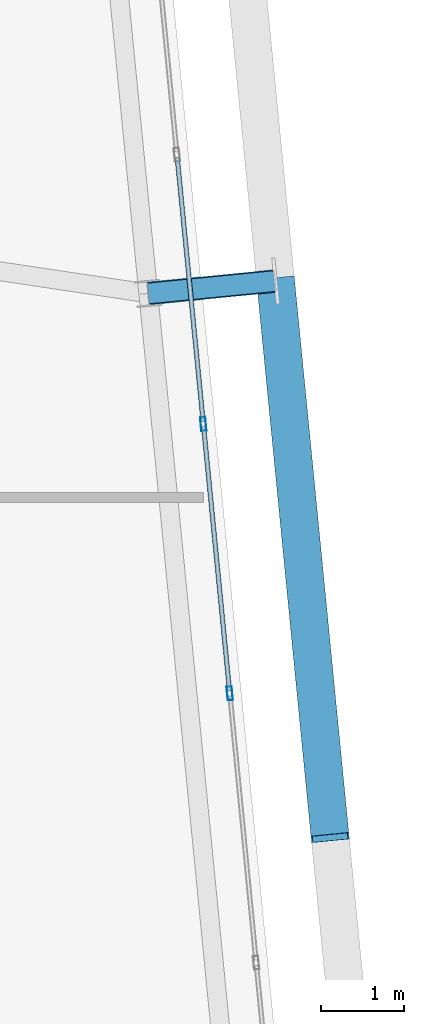
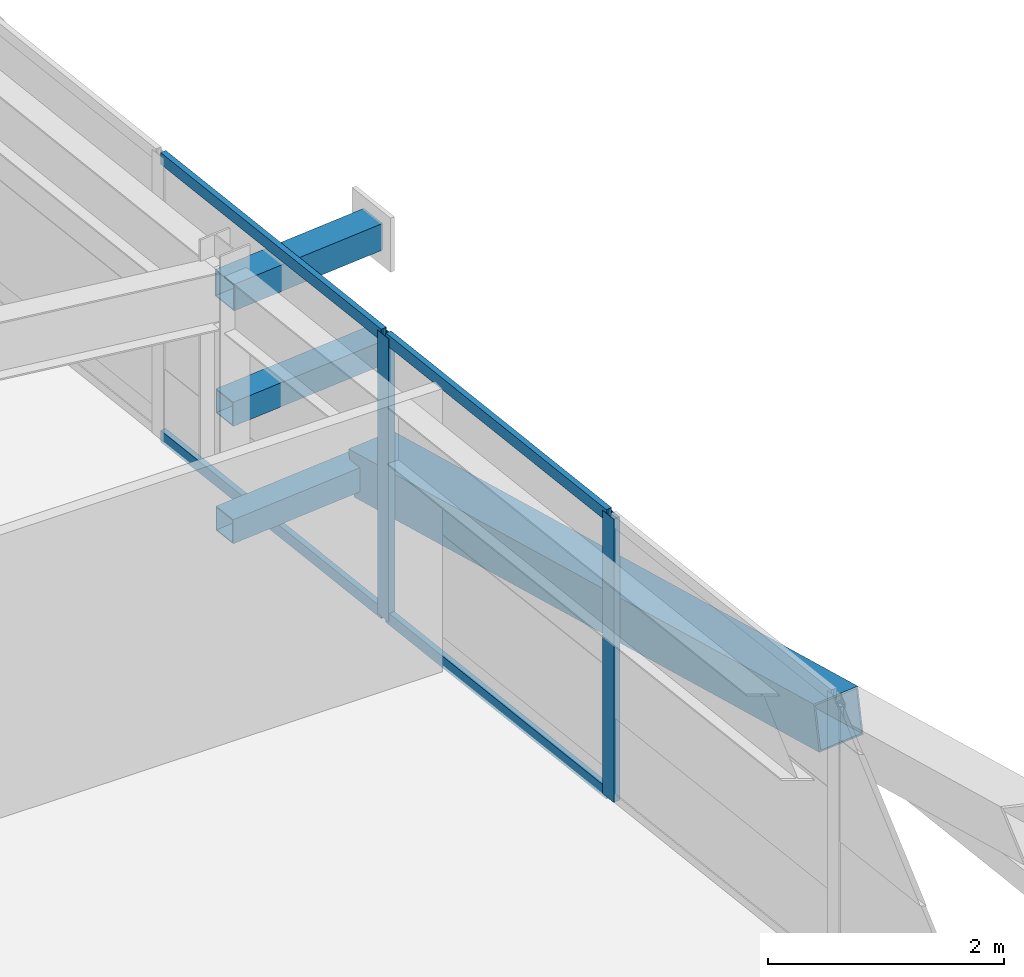
# One storey, part 24 of 54: 10 members, 1 element without a shape of its own.
"""IFC4 building model written with IfcOpenShell, lengths in metres."""

from ifc_helpers import new_model, si_unit, direction, frame, origin, origin_2d, place, context, subcontext, project, spatial, hollow_rectangle, extrude, source, transform, mapped, material, layer, layer_set, material_profile, profile_set, type_object, element, aggregate, save


model = new_model("IFC4")

# Units and contexts
model_context = context("Model", 3, precision=1e-05, world=origin(), true_north=direction((0.0, 1.0)))
body_context = subcontext(model_context, "Body", "Model", "MODEL_VIEW")
ifc_project = project(units=[si_unit("LENGTHUNIT", "METRE"), si_unit("AREAUNIT", "SQUARE_METRE"), si_unit("VOLUMEUNIT", "CUBIC_METRE"), si_unit("PLANEANGLEUNIT", "RADIAN"), si_unit("MASSUNIT", "GRAM", prefix="KILO")], contexts=[model_context])

# Site, building, storey
site_placement = place(None, origin())
site = spatial("IfcSite", under=ifc_project, at=site_placement, CompositionType="ELEMENT")
building_placement = place(site_placement, origin())
building = spatial("IfcBuilding", under=site, at=building_placement, Name="Taldren Reach Tower", CompositionType="ELEMENT")
storey_placement = place(building_placement, frame((0.0, 0.0, 102.89990234375)))
storey = spatial("IfcBuildingStorey", under=building, at=storey_placement, Name="L31", CompositionType="ELEMENT", Elevation=102.89990234375)

# Members
ifc_material_1 = material(Name="Steel Gr 450 (C450L0)", Category="steel")
ifc_material_profile_1 = material_profile(ifc_material_1, hollow_rectangle(XDim=0.27490234375, YDim=0.27490234375, WallThickness=0.00927734375, at=origin_2d()), Name="275x275x9.3SHS")
ifc_profile_set_1 = profile_set([ifc_material_profile_1], Name="Steel Gr 450 (C450L0)")
member_type_1 = type_object("IfcMemberType", Name="MB-TIE273", PredefinedType="STRUT", material=ifc_profile_set_1)
shared_shape_1 = source(origin(), body_context, "Body", "SweptSolid", [
    extrude(hollow_rectangle(XDim=0.27490234375, YDim=0.27490234375, WallThickness=0.00927734375, at=origin_2d()), origin(), (0.0, 0.0, 1.0), 1.5498046875),
])
member_1_placement = place(storey_placement, frame((64.569580078125, 21.968994140625, 2.650146484375), z_axis=(0.995234821595, 0.097507178627, 0.0), x_axis=(-0.097507178627, 0.995234821595, 0.0)))
element("IfcMember", 1, at=member_1_placement, inside=storey, type_object=member_type_1, Name="Exoskeleton diaphragm tie strut B2-E2 L31", PredefinedType="STRUT", context=body_context, shape_type="MappedRepresentation", body=[
    mapped(shared_shape_1, transform((0.0, 0.0, 0.0), scale=1.0)),
])
ifc_material_2 = material(Name="Steel Gr 350 (C350L0)", Category="steel")
ifc_material_profile_2 = material_profile(ifc_material_2, hollow_rectangle(XDim=0.25, YDim=0.25, WallThickness=0.010009765625, at=origin_2d()), Name="250x250x10.0SHS")
ifc_profile_set_2 = profile_set([ifc_material_profile_2], Name="Steel Gr 350 (C350L0)")
member_type_2 = type_object("IfcMemberType", Name="MB-POST250", PredefinedType="POST", material=ifc_profile_set_2)
shared_shape_2 = source(origin(), body_context, "Body", "SweptSolid", [
    extrude(hollow_rectangle(XDim=0.25, YDim=0.25, WallThickness=0.010009765625, at=origin_2d()), origin(), (0.0, 0.0, 1.0), 1.5498046875),
])
for number, where, z_axis, x_axis, name in (
    (2, (64.569580078125, 21.968994140625, 0.22021484375), (0.995234821595, 0.097507178627, 0.0), (-0.097507178627, 0.995234821595, 0.0), "Exoskeleton base diaphragm tie strut B2-E2 L31"),
    (3, (64.569580078125, 21.968994140625, 1.43505859375), (0.995234821595, 0.097507178627, 0.0), (-0.097507178627, 0.995234821595, 0.0), "Exoskeleton mid-tier diaphragm tie B2-E2 L31"),
):
    element("IfcMember", number, at=place(storey_placement, frame(where, z_axis=z_axis, x_axis=x_axis)), inside=storey, type_object=member_type_2, Name=name, PredefinedType="POST", context=body_context, shape_type="MappedRepresentation", body=[
        mapped(shared_shape_2, transform((0.0, 0.0, 0.0), scale=1.0)),
    ])
ifc_material_profile_3 = material_profile(ifc_material_1, hollow_rectangle(XDim=0.4599609375, YDim=0.4599609375, WallThickness=0.01611328125, at=origin_2d()), Name="460x460x16.0SHS")
ifc_profile_set_3 = profile_set([ifc_material_profile_3], Name="Steel Gr 450 (C450L0)")
member_type_3 = type_object("IfcMemberType", Name="MB-EXO457", PredefinedType="BRACE", material=ifc_profile_set_3)
shared_shape_3 = source(origin(), body_context, "Body", "SweptSolid", [
    extrude(hollow_rectangle(XDim=0.4599609375, YDim=0.4599609375, WallThickness=0.01611328125, at=origin_2d()), origin(), (0.0, 0.0, 1.0), 6.883056640625),
])
member_2_placement = place(storey_placement, frame((66.112060546875, 22.1201171875, 0.22021484375), z_axis=(0.096052059581, -0.979603316657, 0.176497432967), x_axis=(0.995227290009, 0.097584021339, 0.0)))
element("IfcMember", 4, at=member_2_placement, inside=storey, type_object=member_type_3, Name="Exoskeleton Diagrid Brace B2-E1 L31", PredefinedType="BRACE", context=body_context, shape_type="MappedRepresentation", body=[
    mapped(shared_shape_3, transform((0.0, 0.0, 0.0), scale=1.0)),
])

# Curtain wall, members
ifc_material_3 = material(Name="Aluminium and Low-E Glass Unitised System", Category="aluminium")
ifc_layer = layer(ifc_material_3, 0.159912109375)
ifc_layer_set = layer_set([ifc_layer], Name="Aluminium and Low-E Glass Unitised System")
curtain_wall_type = type_object("IfcCurtainWallType", Name="CW-SYS-3", PredefinedType="NOTDEFINED", material=ifc_layer_set)
curtain_wall_placement = place(storey_placement, origin())
curtain_wall = element("IfcCurtainWall", 5, at=curtain_wall_placement, inside=storey, type_object=curtain_wall_type, Name="Unitised curtain wall CW-L31-E", PredefinedType="NOTDEFINED")
ifc_material_4 = material(Name="Anodised Aluminium 6063-T6", Category="aluminium")
ifc_material_profile_4 = material_profile(ifc_material_4, hollow_rectangle(XDim=0.06494140625, YDim=0.1650390625, WallThickness=0.00390625, at=origin_2d()), Name="ALU-165x65x4RHS")
ifc_profile_set_4 = profile_set([ifc_material_profile_4], Name="Anodised Aluminium 6063-T6")
member_type_4 = type_object("IfcMemberType", Name="CW-MUL-165", PredefinedType="MULLION", material=ifc_profile_set_4)
shared_shape_4 = source(origin(), body_context, "Body", "SweptSolid", [
    extrude(hollow_rectangle(XDim=0.06494140625, YDim=0.1650390625, WallThickness=0.00390625, at=origin_2d()), origin(), (0.0, 0.0, 1.0), 2.93017578125),
])
member_3_placement = place(storey_placement, frame((65.556884765625, 17.12548828125, 0.0), z_axis=(0.0, 0.0, 1.0), x_axis=(-0.99522741555, -0.09758274098, 0.0)))
member_3 = element("IfcMember", 6, at=member_3_placement, type_object=member_type_4, Name="CW-3 mullion 4", PredefinedType="MULLION", context=body_context, shape_type="MappedRepresentation", body=[
    mapped(shared_shape_4, transform((0.0, 0.0, 0.0), scale=1.0)),
])
member_4_placement = place(storey_placement, frame((65.237060546875, 20.3876953125, 0.0), z_axis=(0.0, 0.0, 1.0), x_axis=(-0.99522741555, -0.09758274098, 0.0)))
member_4 = element("IfcMember", 7, at=member_4_placement, type_object=member_type_4, Name="CW-3 mullion 5", PredefinedType="MULLION", context=body_context, shape_type="MappedRepresentation", body=[
    mapped(shared_shape_4, transform((0.0, 0.0, 0.0), scale=1.0)),
])
ifc_material_profile_5 = material_profile(ifc_material_4, hollow_rectangle(XDim=0.054931640625, YDim=0.1201171875, WallThickness=0.0029296875, at=origin_2d()), Name="ALU-120x55x3RHS")
ifc_profile_set_5 = profile_set([ifc_material_profile_5], Name="Anodised Aluminium 6063-T6")
member_type_5 = type_object("IfcMemberType", Name="CW-TRN-135", PredefinedType="USERDEFINED", material=ifc_profile_set_5)
shared_shape_5 = source(origin(), body_context, "Body", "SweptSolid", [
    extrude(hollow_rectangle(XDim=0.054931640625, YDim=0.1201171875, WallThickness=0.0029296875, at=origin_2d()), origin(), (0.0, 0.0, 1.0), 3.212890625),
])
member_5_placement = place(storey_placement, frame((65.5537109375, 17.15771484375, 0.027587890625), z_axis=(-0.097569948235, 0.995228669805, 0.0), x_axis=(-0.995228669805, -0.097569948235, 0.0)))
member_5 = element("IfcMember", 8, at=member_5_placement, type_object=member_type_5, Name="CW-3 transom 4.1", ObjectType="TRANSOM", PredefinedType="USERDEFINED", context=body_context, shape_type="MappedRepresentation", body=[
    mapped(shared_shape_5, transform((0.0, 0.0, 0.0), scale=1.0)),
])
member_6_placement = place(storey_placement, frame((65.5537109375, 17.15771484375, 2.902587890625), z_axis=(-0.097569948235, 0.995228669805, 0.0), x_axis=(-0.995228669805, -0.097569948235, 0.0)))
member_6 = element("IfcMember", 9, at=member_6_placement, type_object=member_type_5, Name="CW-3 transom 4.2", ObjectType="TRANSOM", PredefinedType="USERDEFINED", context=body_context, shape_type="MappedRepresentation", body=[
    mapped(shared_shape_5, transform((0.0, 0.0, 0.0), scale=1.0)),
])
member_7_placement = place(storey_placement, frame((65.23388671875, 20.419921875, 0.027587890625), z_axis=(-0.097645213046, 0.995221288141, 0.0), x_axis=(-0.995221288141, -0.097645213046, 0.0)))
member_7 = element("IfcMember", 10, at=member_7_placement, type_object=member_type_5, Name="CW-3 transom 5.1", ObjectType="TRANSOM", PredefinedType="USERDEFINED", context=body_context, shape_type="MappedRepresentation", body=[
    mapped(shared_shape_5, transform((0.0, 0.0, 0.0), scale=1.0)),
])
member_8_placement = place(storey_placement, frame((65.23388671875, 20.419921875, 2.902587890625), z_axis=(-0.097645213046, 0.995221288141, 0.0), x_axis=(-0.995221288141, -0.097645213046, 0.0)))
member_8 = element("IfcMember", 11, at=member_8_placement, type_object=member_type_5, Name="CW-3 transom 5.2", ObjectType="TRANSOM", PredefinedType="USERDEFINED", context=body_context, shape_type="MappedRepresentation", body=[
    mapped(shared_shape_5, transform((0.0, 0.0, 0.0), scale=1.0)),
])
aggregate(curtain_wall, [member_3, member_4, member_5, member_6, member_7, member_8])

save(model, "model.ifc")
